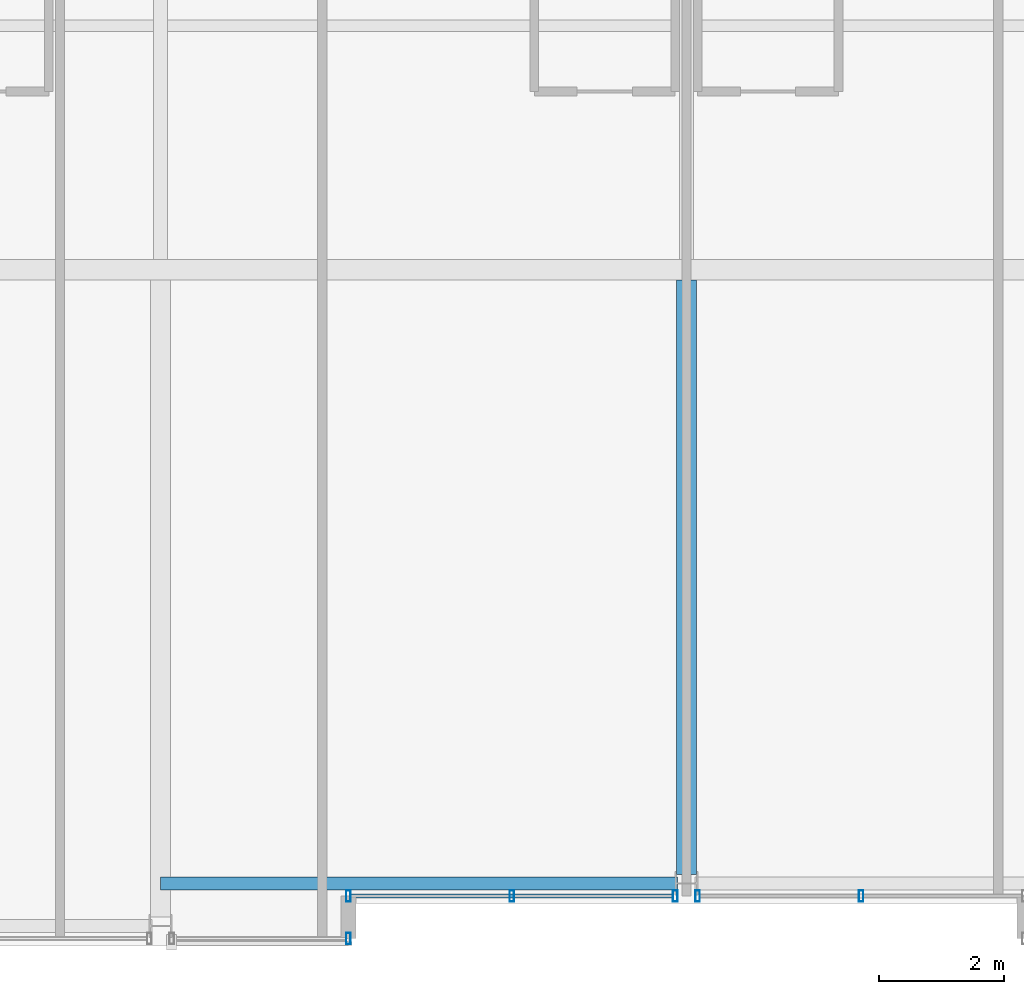
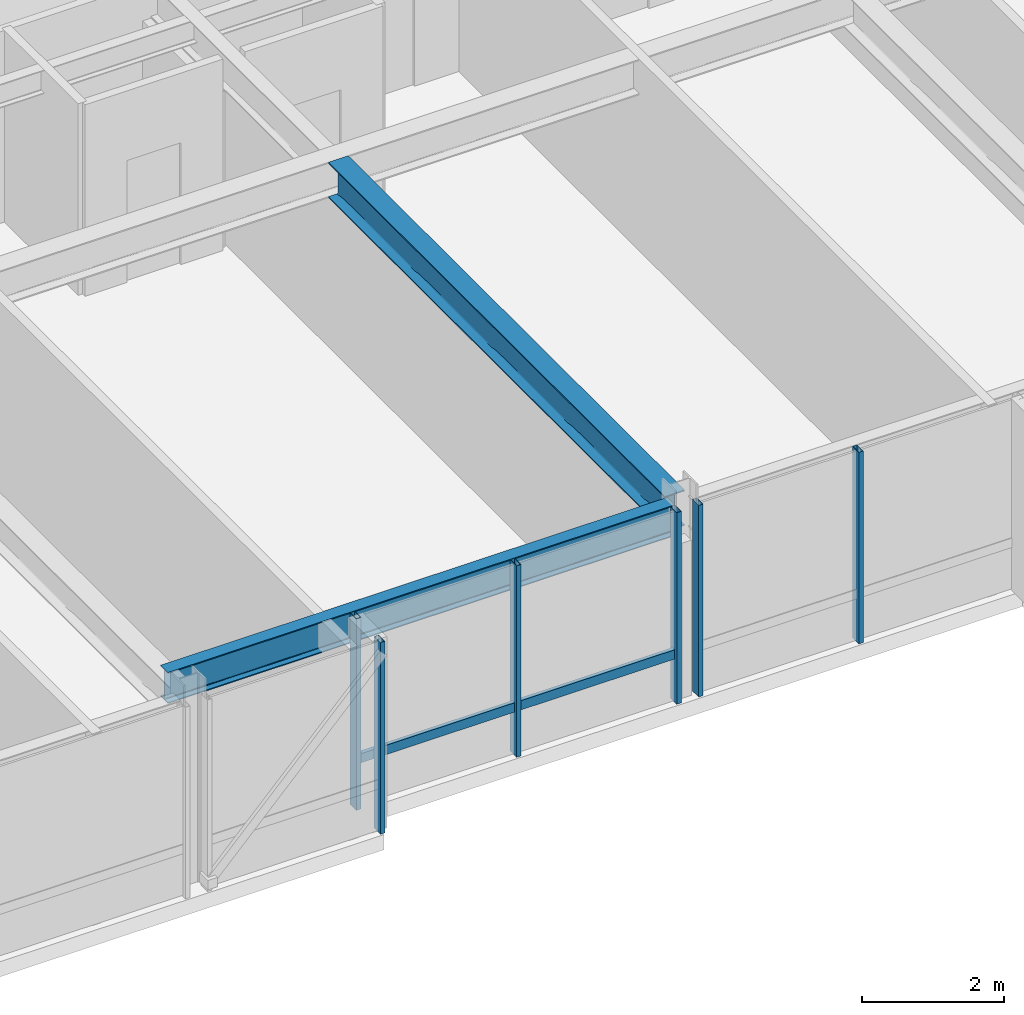
# One storey, part 7 of 34: 7 members, 2 beams, 3 elements without a shape of their own.
"""IFC4 building model written with IfcOpenShell, lengths in metres."""

from ifc_helpers import new_model, si_unit, direction, frame, origin, origin_2d, place, context, subcontext, project, spatial, hollow_rectangle, i_section, extrude, material, layer, layer_set, material_profile, profile_set, type_object, element, aggregate, save


model = new_model("IFC4")

# Units and contexts
model_context = context("Model", 3, precision=1e-05, world=origin(), true_north=direction((0.0, 1.0)))
body_context = subcontext(model_context, "Body", "Model", "MODEL_VIEW")
ifc_project = project(units=[si_unit("LENGTHUNIT", "METRE"), si_unit("AREAUNIT", "SQUARE_METRE"), si_unit("VOLUMEUNIT", "CUBIC_METRE"), si_unit("PLANEANGLEUNIT", "RADIAN"), si_unit("MASSUNIT", "GRAM", prefix="KILO")], contexts=[model_context])

# Site, building, storey
site_placement = place(None, origin())
site = spatial("IfcSite", under=ifc_project, at=site_placement, CompositionType="ELEMENT")
building_placement = place(site_placement, origin())
building = spatial("IfcBuilding", under=site, at=building_placement, Name="Drelvath Grand Hotel", CompositionType="ELEMENT")
storey_placement = place(building_placement, frame((0.0, 0.0, 251.89990234375)))
storey = spatial("IfcBuildingStorey", under=building, at=storey_placement, Name="L66", CompositionType="ELEMENT", Elevation=251.89990234375)

# Curtain wall, members
ifc_material_1 = material(Name="Platinum-Mist Anodised Aluminium Frame", Category="aluminium")
ifc_layer = layer(ifc_material_1, 0.199951171875)
ifc_layer_set = layer_set([ifc_layer], Name="Platinum-Mist Anodised Aluminium Frame")
curtain_wall_type = type_object("IfcCurtainWallType", Name="Stick Curtain Wall CW-05 Platinum Mist High-Rise", PredefinedType="NOTDEFINED", material=ifc_layer_set)
curtain_wall_1_placement = place(storey_placement, origin())
curtain_wall_1 = element("IfcCurtainWall", 1, at=curtain_wall_1_placement, inside=storey, type_object=curtain_wall_type, Name="L66 CW-05 Curtain Wall CW05-L66-SM1", PredefinedType="NOTDEFINED")
ifc_material_profile_1 = material_profile(ifc_material_1, hollow_rectangle(XDim=0.06494140625, YDim=0.159912109375, WallThickness=0.00390625, at=origin_2d()), Name="HSS160X65X4")
ifc_profile_set_1 = profile_set([ifc_material_profile_1], Name="Platinum-Mist Anodised Aluminium Frame")
member_type_1 = type_object("IfcMemberType", Name="Curtain Wall Horizontal Transom CW-05 HSS160X65X4", PredefinedType="USERDEFINED", material=ifc_profile_set_1)
member_1_placement = place(storey_placement, frame((-0.21826171875, 0.800048828125, 0.8251953125), z_axis=(-1.0, 0.0, 0.0), x_axis=(0.0, -1.0, 0.0)))
member_1 = element("IfcMember", 2, at=member_1_placement, type_object=member_type_1, Name="CW05-L66-SM1 Sill Transom", ObjectType="TRANSOM", PredefinedType="USERDEFINED", context=body_context, shape_type="SweptSolid", body=[
    extrude(hollow_rectangle(XDim=0.06494140625, YDim=0.159912109375, WallThickness=0.00390625, at=origin_2d()), origin(), (0.0, 0.0, 1.0), 5.141845703125),
])
ifc_material_profile_2 = material_profile(ifc_material_1, hollow_rectangle(XDim=0.074951171875, YDim=0.179931640625, WallThickness=0.0048828125, at=origin_2d()), Name="HSS180X75X5")
ifc_profile_set_2 = profile_set([ifc_material_profile_2], Name="Platinum-Mist Anodised Aluminium Frame")
member_type_2 = type_object("IfcMemberType", Name="Curtain Wall Vertical Mullion CW-05 HSS180X75X5", PredefinedType="MULLION", material=ifc_profile_set_2)
member_2_placement = place(storey_placement, frame((-0.17822265625, 0.800048828125, 0.0), z_axis=(0.0, 0.0, 1.0), x_axis=(1.0, 0.0, 0.0)))
member_2 = element("IfcMember", 3, at=member_2_placement, type_object=member_type_2, Name="CW05-L66-SM1 Mullion 1", PredefinedType="MULLION", context=body_context, shape_type="SweptSolid", body=[
    extrude(hollow_rectangle(XDim=0.074951171875, YDim=0.179931640625, WallThickness=0.0048828125, at=origin_2d()), origin(), (0.0, 0.0, 1.0), 3.300048828125),
])
member_3_placement = place(storey_placement, frame((-2.7890625, 0.800048828125, 0.0), z_axis=(0.0, 0.0, 1.0), x_axis=(1.0, 0.0, 0.0)))
member_3 = element("IfcMember", 4, at=member_3_placement, type_object=member_type_2, Name="CW05-L66-SM1 Mullion 2", PredefinedType="MULLION", context=body_context, shape_type="SweptSolid", body=[
    extrude(hollow_rectangle(XDim=0.074951171875, YDim=0.179931640625, WallThickness=0.0048828125, at=origin_2d()), origin(), (0.0, 0.0, 1.0), 3.300048828125),
])
member_4_placement = place(storey_placement, frame((-5.39990234375, 0.800048828125, 0.0), z_axis=(0.0, 0.0, 1.0), x_axis=(1.0, 0.0, 0.0)))
member_4 = element("IfcMember", 5, at=member_4_placement, type_object=member_type_2, Name="CW05-L66-SM1 Mullion 3", PredefinedType="MULLION", context=body_context, shape_type="SweptSolid", body=[
    extrude(hollow_rectangle(XDim=0.074951171875, YDim=0.179931640625, WallThickness=0.0048828125, at=origin_2d()), origin(), (0.0, 0.0, 1.0), 3.300048828125),
])
aggregate(curtain_wall_1, [member_2, member_3, member_4, member_1])

curtain_wall_2_placement = place(storey_placement, origin())
curtain_wall_2 = element("IfcCurtainWall", 6, at=curtain_wall_2_placement, inside=storey, type_object=curtain_wall_type, Name="L66 CW-05 Curtain Wall CW05-L66-SM2", PredefinedType="NOTDEFINED")
member_5_placement = place(storey_placement, frame((2.7890625, 0.800048828125, 0.0), z_axis=(0.0, 0.0, 1.0), x_axis=(1.0, 0.0, 0.0)))
member_5 = element("IfcMember", 7, at=member_5_placement, type_object=member_type_2, Name="CW05-L66-SM2 Mullion 2", PredefinedType="MULLION", context=body_context, shape_type="SweptSolid", body=[
    extrude(hollow_rectangle(XDim=0.074951171875, YDim=0.179931640625, WallThickness=0.0048828125, at=origin_2d()), origin(), (0.0, 0.0, 1.0), 3.300048828125),
])
member_6_placement = place(storey_placement, frame((0.17822265625, 0.800048828125, 0.0), z_axis=(0.0, 0.0, 1.0), x_axis=(1.0, 0.0, 0.0)))
member_6 = element("IfcMember", 8, at=member_6_placement, type_object=member_type_2, Name="CW05-L66-SM2 Mullion 3", PredefinedType="MULLION", context=body_context, shape_type="SweptSolid", body=[
    extrude(hollow_rectangle(XDim=0.074951171875, YDim=0.179931640625, WallThickness=0.0048828125, at=origin_2d()), origin(), (0.0, 0.0, 1.0), 3.300048828125),
])
aggregate(curtain_wall_2, [member_5, member_6])

# Curtain wall, member
curtain_wall_3_placement = place(storey_placement, origin())
curtain_wall_3 = element("IfcCurtainWall", 9, at=curtain_wall_3_placement, inside=storey, type_object=curtain_wall_type, Name="L66 CW-05 Curtain Wall CW05-L66-SW3", PredefinedType="NOTDEFINED")
member_7_placement = place(storey_placement, frame((-5.39990234375, 0.1201171875, 0.0), z_axis=(0.0, 0.0, 1.0), x_axis=(1.0, 0.0, 0.0)))
member_7 = element("IfcMember", 10, at=member_7_placement, type_object=member_type_2, Name="CW05-L66-SW3 Mullion 1", PredefinedType="MULLION", context=body_context, shape_type="SweptSolid", body=[
    extrude(hollow_rectangle(XDim=0.074951171875, YDim=0.179931640625, WallThickness=0.0048828125, at=origin_2d()), origin(), (0.0, 0.0, 1.0), 3.300048828125),
])
aggregate(curtain_wall_3, [member_7])

# Beams
ifc_material_2 = material(Name="Steel ASTM A992 Gr 50", Category="steel")
ifc_material_profile_3 = material_profile(ifc_material_2, i_section(OverallWidth=0.210205078125, OverallDepth=0.53662109375, WebThickness=0.010986328125, FlangeThickness=0.017333984375, FilletRadius=0.01806640625, at=origin_2d()), Name="W21X68")
ifc_profile_set_3 = profile_set([ifc_material_profile_3], Name="Steel ASTM A992 Gr 50")
beam_type_1 = type_object("IfcBeamType", Name="Perimeter Spandrel Beam W21X68", PredefinedType="SPANDREL", material=ifc_profile_set_3)
beam_1_placement = place(storey_placement, frame((-8.39990234375, 1.0, 3.03173828125), z_axis=(1.0, 0.0, 0.0), x_axis=(0.0, 1.0, 0.0)))
element("IfcBeam", 11, at=beam_1_placement, inside=storey, type_object=beam_type_1, Name="L66 Spandrel South Mid W", PredefinedType="SPANDREL", context=body_context, shape_type="SweptSolid", body=[
    extrude(i_section(OverallWidth=0.210205078125, OverallDepth=0.53662109375, WebThickness=0.010986328125, FlangeThickness=0.017333984375, FilletRadius=0.01806640625, at=origin_2d()), origin(), (0.0, 0.0, 1.0), 8.260009765625),
])
ifc_material_profile_4 = material_profile(ifc_material_2, i_section(OverallWidth=0.323974609375, OverallDepth=0.611083984375, WebThickness=0.0126953125, FlangeThickness=0.01904296875, FilletRadius=0.02197265625, at=origin_2d()), Name="W24X104")
ifc_profile_set_4 = profile_set([ifc_material_profile_4], Name="Steel ASTM A992 Gr 50")
beam_type_2 = type_object("IfcBeamType", Name="Primary Floor Girder W24X104", PredefinedType="BEAM", material=ifc_profile_set_4)
beam_2_placement = place(storey_placement, frame((0.0, 1.139892578125, 2.994384765625), z_axis=(0.0, 1.0, 0.0), x_axis=(-1.0, 0.0, 0.0)))
element("IfcBeam", 12, at=beam_2_placement, inside=storey, type_object=beam_type_2, Name="L66 South Wing Girder 5", PredefinedType="BEAM", context=body_context, shape_type="SweptSolid", body=[
    extrude(i_section(OverallWidth=0.323974609375, OverallDepth=0.611083984375, WebThickness=0.0126953125, FlangeThickness=0.01904296875, FilletRadius=0.02197265625, at=origin_2d()), origin(), (0.0, 0.0, 1.0), 9.498046875),
])

save(model, "model.ifc")
